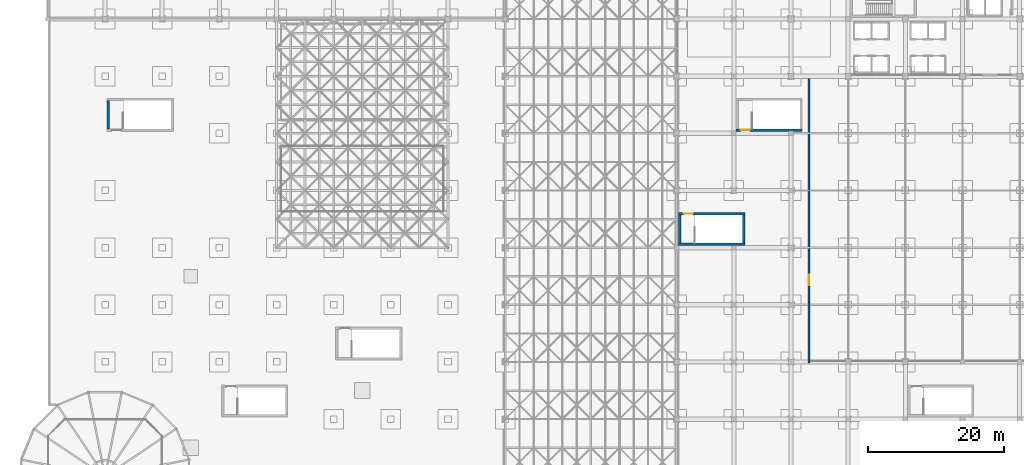
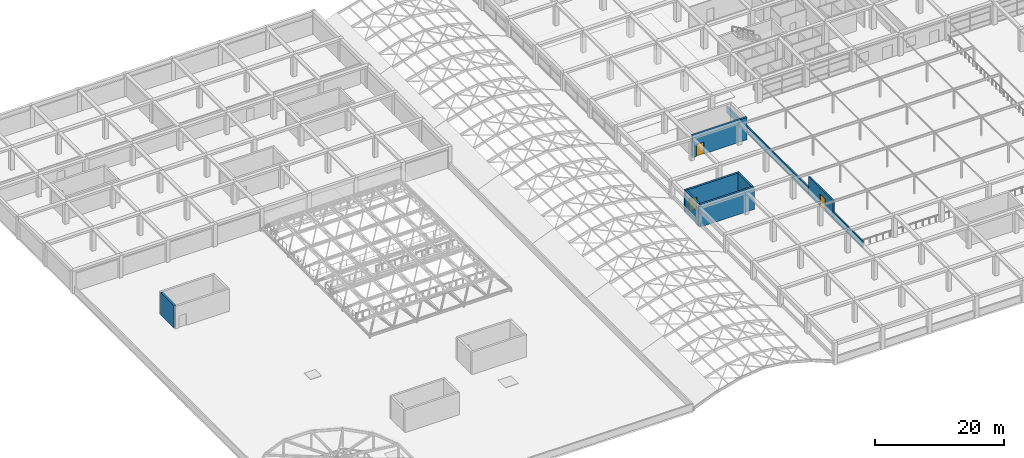
# One storey, part 75 of 85: 9 walls, 3 doors, 3 openings.
"""IFC4 building model written with IfcOpenShell, lengths in metres."""

from ifc_helpers import new_model, si_unit, direction, frame, frame_2d, origin, place, context, subcontext, project, spatial, rectangle, extrude, material, layer, layer_set, type_object, element, fill, save


model = new_model("IFC4")

# Units and contexts
model_context = context("Model", 3, precision=1e-05, world=origin(), true_north=direction((0.0, 1.0)))
body_context = subcontext(model_context, "Body", "Model", "MODEL_VIEW")
ifc_project = project(units=[si_unit("LENGTHUNIT", "METRE"), si_unit("AREAUNIT", "SQUARE_METRE"), si_unit("VOLUMEUNIT", "CUBIC_METRE"), si_unit("PLANEANGLEUNIT", "RADIAN"), si_unit("MASSUNIT", "GRAM", prefix="KILO")], contexts=[model_context])

# Site, building, storey
site_placement = place(None, origin())
site = spatial("IfcSite", under=ifc_project, at=site_placement, CompositionType="ELEMENT")
building_placement = place(site_placement, origin())
building = spatial("IfcBuilding", under=site, at=building_placement, Name="Almacenes y Pasaje Nevantli", CompositionType="ELEMENT")
storey_placement = place(building_placement, frame((0.0, 0.0, 22.199951171875)))
storey = spatial("IfcBuildingStorey", under=building, at=storey_placement, Name="L05", CompositionType="ELEMENT", Elevation=22.199951171875)

# Wall
ifc_material_1 = material(Name="Concrete C45/55", Category="concrete")
ifc_layer_1 = layer(ifc_material_1, 0.35009765625)
ifc_layer_set_1 = layer_set([ifc_layer_1], Name="Concrete C45/55")
wall_type_1 = type_object("IfcWallType", Name="WL-CORE-350", PredefinedType="SHEAR", material=ifc_layer_set_1)
wall_1_placement = place(storey_placement, frame((92.699951171875, 42.47509765625, 0.0), z_axis=(0.0, 0.0, 1.0), x_axis=(1.0, 0.0, 0.0)))
element("IfcWall", 1, at=wall_1_placement, inside=storey, type_object=wall_type_1, Name="L05 Exit Stair ST-08 South Core Shear Wall", PredefinedType="SHEAR", context=body_context, shape_type="SweptSolid", body=[
    extrude(rectangle(XDim=9.75, YDim=0.35009765625, at=frame_2d((4.875, 0.0))), origin(), (0.0, 0.0, 1.0), 4.219970703125),
])

# Wall, opening, door
wall_2_placement = place(storey_placement, frame((92.699951171875, 46.97509765625, 0.0), z_axis=(0.0, 0.0, 1.0), x_axis=(1.0, 0.0, 0.0)))
wall_2 = element("IfcWall", 2, at=wall_2_placement, inside=storey, type_object=wall_type_1, Name="L05 Exit Stair ST-08 North Core Shear Wall", PredefinedType="SHEAR", context=body_context, shape_type="SweptSolid", body=[
    extrude(rectangle(XDim=9.75, YDim=0.35009765625, at=frame_2d((4.875, 0.0))), origin(), (0.0, 0.0, 1.0), 4.219970703125),
])
opening_1_placement = place(wall_2_placement, frame((0.719970703125, 0.0, 0.0)))
opening_1 = element("IfcOpeningElement", 3, at=opening_1_placement, cuts=wall_2, Name="Opening SD-08-L05", PredefinedType="OPENING", context=body_context, shape_type="SweptSolid", body=[
    extrude(rectangle(XDim=1.35009765625, YDim=2.25, at=frame_2d((0.675048828125, 1.125))), frame((0.0, 0.18505859375, 0.0), z_axis=(0.0, -1.0, 0.0), x_axis=(1.0, 0.0, 0.0)), (0.0, 0.0, 1.0), 0.3701171875),
])
ifc_material_2 = material(Name="Galvanized Fire-Rated Steel", Category="steel")
door_type_1 = type_object("IfcDoorType", Name="DR-STAIR-1350R", OperationType="SINGLE_SWING_RIGHT", PredefinedType="DOOR", material=ifc_material_2)
door_1_placement = place(opening_1_placement, origin())
door_1 = element("IfcDoor", 4, at=door_1_placement, inside=storey, type_object=door_type_1, Name="L05 Smokeproof Exit Stair ST-08 Fire Door", OperationType="SINGLE_SWING_RIGHT", OverallHeight=2.25, OverallWidth=1.35009765625, PredefinedType="DOOR", context=body_context, shape_type="SweptSolid", body=[
    extrude(rectangle(XDim=1.35009765625, YDim=2.25, at=frame_2d((0.675048828125, 1.125))), frame((0.0, 0.02490234375, 0.0), z_axis=(0.0, -1.0, 0.0), x_axis=(1.0, 0.0, 0.0)), (0.0, 0.0, 1.0), 0.050048828125),
])
fill(opening_1, door_1)

# Walls
for number, where, z_axis, x_axis, name in (
    (5, (92.875, 42.64990234375, 0.0), (0.0, 0.0, 1.0), (0.0, 1.0, 0.0), "L05 Exit Stair ST-08 West Core Shear Wall"),
    (6, (102.27490234375, 42.64990234375, 0.0), (0.0, 0.0, 1.0), (0.0, 1.0, 0.0), "L05 Exit Stair ST-08 East Core Shear Wall"),
    (7, (8.875, 59.449951171875, 0.0), (0.0, 0.0, 1.0), (0.0, 1.0, 0.0), "L05 Exit Stair ST-12 West Core Shear Wall"),
):
    element("IfcWall", number, at=place(storey_placement, frame(where, z_axis=z_axis, x_axis=x_axis)), inside=storey, type_object=wall_type_1, Name=name, PredefinedType="SHEAR", context=body_context, shape_type="SweptSolid", body=[
        extrude(rectangle(XDim=4.150146484375, YDim=0.35009765625, at=frame_2d((2.0751953125, 0.0))), origin(), (0.0, 0.0, 1.0), 4.219970703125),
    ])

# Wall, opening, door
wall_3_placement = place(storey_placement, frame((101.10009765625, 59.27490234375, 0.0), z_axis=(0.0, 0.0, 1.0), x_axis=(1.0, 0.0, 0.0)))
wall_3 = element("IfcWall", 8, at=wall_3_placement, inside=storey, type_object=wall_type_1, Name="L05 Exit Stair ST-13 South Core Shear Wall", PredefinedType="SHEAR", context=body_context, shape_type="SweptSolid", body=[
    extrude(rectangle(XDim=9.75, YDim=0.35009765625, at=frame_2d((4.875, 0.0))), origin(), (0.0, 0.0, 1.0), 4.219970703125),
])
opening_2_placement = place(wall_3_placement, frame((0.719970703125, 0.0, 0.0)))
opening_2 = element("IfcOpeningElement", 9, at=opening_2_placement, cuts=wall_3, Name="Opening SD-13-L05", PredefinedType="OPENING", context=body_context, shape_type="SweptSolid", body=[
    extrude(rectangle(XDim=1.35009765625, YDim=2.25, at=frame_2d((0.675048828125, 1.125))), frame((0.0, 0.18505859375, 0.0), z_axis=(0.0, -1.0, 0.0), x_axis=(1.0, 0.0, 0.0)), (0.0, 0.0, 1.0), 0.3701171875),
])
ifc_material_3 = material(Name="Galvanized Fire-Rated Steel", Category="steel")
door_type_2 = type_object("IfcDoorType", Name="DR-STAIR-1350", OperationType="SINGLE_SWING_LEFT", PredefinedType="DOOR", material=ifc_material_3)
door_2_placement = place(opening_2_placement, origin())
door_2 = element("IfcDoor", 10, at=door_2_placement, inside=storey, type_object=door_type_2, Name="L05 Smokeproof Exit Stair ST-13 Fire Door", OperationType="SINGLE_SWING_LEFT", OverallHeight=2.25, OverallWidth=1.35009765625, PredefinedType="DOOR", context=body_context, shape_type="SweptSolid", body=[
    extrude(rectangle(XDim=1.35009765625, YDim=2.25, at=frame_2d((0.675048828125, 1.125))), frame((0.0, 0.02490234375, 0.0), z_axis=(0.0, -1.0, 0.0), x_axis=(1.0, 0.0, 0.0)), (0.0, 0.0, 1.0), 0.050048828125),
])
fill(opening_2, door_2)

ifc_material_4 = material(Name="Cream Architectural Precast Concrete C35/45 Wall", Category="concrete")
ifc_layer_2 = layer(ifc_material_4, 0.260009765625)
ifc_layer_set_2 = layer_set([ifc_layer_2], Name="Cream Architectural Precast Concrete C35/45 Wall")
wall_type_2 = type_object("IfcWallType", Name="WL-EXT-PRECAST-260", PredefinedType="SOLIDWALL", material=ifc_layer_set_2)
wall_4_placement = place(storey_placement, frame((111.85009765625, 34.050048828125, 0.0), z_axis=(0.0, 0.0, 1.0), x_axis=(0.0, 1.0, 0.0)))
wall_4 = element("IfcWall", 11, at=wall_4_placement, inside=storey, type_object=wall_type_2, Name="L05 SE Transfer Corridor to Roof Terrace Wall", PredefinedType="SOLIDWALL", context=body_context, shape_type="SweptSolid", body=[
    extrude(rectangle(XDim=7.5, YDim=0.260009765625, at=frame_2d((3.75, 0.0))), origin(), (0.0, 0.0, 1.0), 3.3701171875),
])
opening_3_placement = place(wall_4_placement, frame((2.39990234375, 0.0, 0.0)))
opening_3 = element("IfcOpeningElement", 12, at=opening_3_placement, cuts=wall_4, Name="Opening ED-L05-040", PredefinedType="OPENING", context=body_context, shape_type="SweptSolid", body=[
    extrude(rectangle(XDim=1.56005859375, YDim=2.25, at=frame_2d((0.780029296875, 1.125))), frame((0.0, 0.139892578125, 0.0), z_axis=(0.0, -1.0, 0.0), x_axis=(1.0, 0.0, 0.0)), (0.0, 0.0, 1.0), 0.280029296875),
])
ifc_material_5 = material(Name="Anodized Aluminium and Safety Glass", Category="aluminium")
door_type_3 = type_object("IfcDoorType", Name="DR-EXT-TER-1560", OperationType="DOUBLE_DOOR_SINGLE_SWING", PredefinedType="DOOR", material=ifc_material_5)
door_3_placement = place(opening_3_placement, origin())
door_3 = element("IfcDoor", 13, at=door_3_placement, inside=storey, type_object=door_type_3, Name="L05 Transfer Gallery to Roof Terrace Door", OperationType="DOUBLE_DOOR_SINGLE_SWING", OverallHeight=2.25, OverallWidth=1.56005859375, PredefinedType="DOOR", context=body_context, shape_type="SweptSolid", body=[
    extrude(rectangle(XDim=1.56005859375, YDim=2.25, at=frame_2d((0.780029296875, 1.125))), frame((0.0, 0.02490234375, 0.0), z_axis=(0.0, -1.0, 0.0), x_axis=(1.0, 0.0, 0.0)), (0.0, 0.0, 1.0), 0.050048828125),
])
fill(opening_3, door_3)

# Walls
ifc_material_6 = material(Name="Reinforced Concrete C35/45 Roof Parapet", Category="concrete")
ifc_layer_3 = layer(ifc_material_6, 0.239990234375)
ifc_layer_set_3 = layer_set([ifc_layer_3], Name="Reinforced Concrete C35/45 Roof Parapet")
wall_type_3 = type_object("IfcWallType", Name="WL-PARAPET-240", PredefinedType="PARAPET", material=ifc_layer_set_3)
wall_5_placement = place(storey_placement, frame((111.85009765625, 25.050048828125, 0.0), z_axis=(0.0, 0.0, 1.0), x_axis=(0.0, 1.0, 0.0)))
element("IfcWall", 14, at=wall_5_placement, inside=storey, type_object=wall_type_3, Name="L05 SE Transfer South-Terrace Parapet", PredefinedType="PARAPET", context=body_context, shape_type="SweptSolid", body=[
    extrude(rectangle(XDim=9.0, YDim=0.239990234375, at=frame_2d((4.5, 0.0))), origin(), (0.0, 0.0, 1.0), 1.25),
])
wall_6_placement = place(storey_placement, frame((111.85009765625, 41.550048828125, 0.0), z_axis=(0.0, 0.0, 1.0), x_axis=(0.0, 1.0, 0.0)))
element("IfcWall", 15, at=wall_6_placement, inside=storey, type_object=wall_type_3, Name="L05 SE Transfer North-Terrace Parapet", PredefinedType="PARAPET", context=body_context, shape_type="SweptSolid", body=[
    extrude(rectangle(XDim=25.5, YDim=0.239990234375, at=frame_2d((12.75, 0.0))), origin(), (0.0, 0.0, 1.0), 1.25),
])

save(model, "model.ifc")
